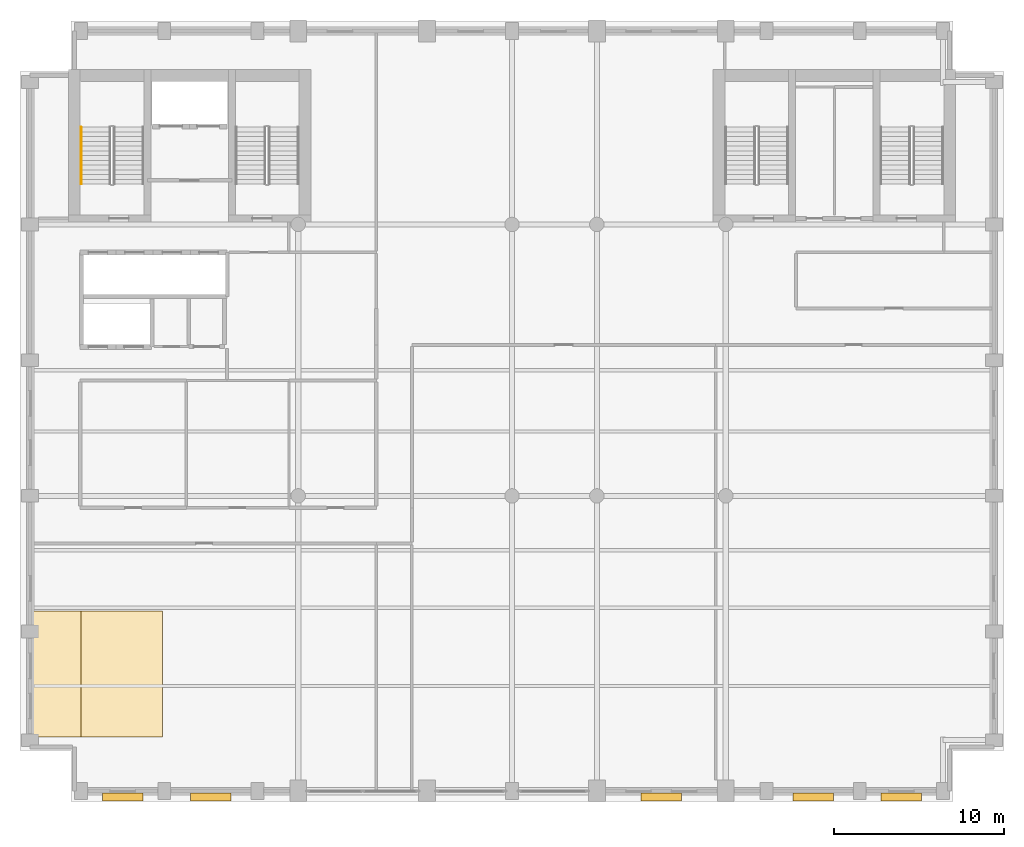
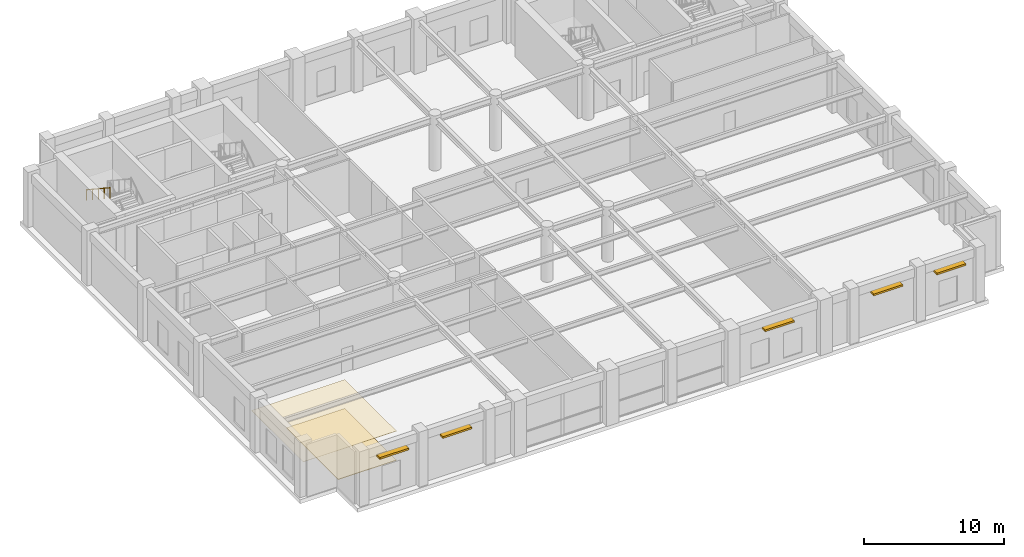
# One storey, part 8 of 10: 5 shading devices, 2 coverings, 1 railing.
"""IFC4 building model written with IfcOpenShell, lengths in metres."""

from ifc_helpers import new_model, si_unit, direction, frame, origin, origin_2d, place, context, subcontext, project, spatial, polyline, rectangle, circle, outline, extrude, material, layer, layer_set, type_object, element, save


model = new_model("IFC4")

# Units and contexts
model_context = context("Model", 3, precision=1e-05, world=origin(), true_north=direction((0.0, 1.0)))
body_context = subcontext(model_context, "Body", "Model", "MODEL_VIEW")
ifc_project = project(units=[si_unit("LENGTHUNIT", "METRE"), si_unit("AREAUNIT", "SQUARE_METRE"), si_unit("VOLUMEUNIT", "CUBIC_METRE"), si_unit("PLANEANGLEUNIT", "RADIAN"), si_unit("MASSUNIT", "GRAM", prefix="KILO")], contexts=[model_context])

# Site, building, storey
site_placement = place(None, origin())
site = spatial("IfcSite", under=ifc_project, at=site_placement, CompositionType="ELEMENT")
building_placement = place(site_placement, origin())
building = spatial("IfcBuilding", under=site, at=building_placement, Name="Sulina Concourse Tower", CompositionType="ELEMENT")
storey_placement = place(building_placement, frame((0.0, 0.0, 243.800048828125)))
storey = spatial("IfcBuildingStorey", under=building, at=storey_placement, Name="L59", CompositionType="ELEMENT", Elevation=243.800048828125)

# Shading devices
ifc_material_1 = material(Name="Precast concrete C50/60", Category="concrete")
shading_device_type = type_object("IfcShadingDeviceType", Name="Brutalist Precast Horizontal Sunshade Fin", PredefinedType="USERDEFINED", material=ifc_material_1)
for number, where, z_axis, x_axis, name in (
    (1, (6.050048828125, 0.2548828125, 3.6201171875), (0.0, 0.0, 1.0), (1.0, 0.0, 0.0), "L59 precast solar sunshade S1"),
    (2, (11.25, 0.2548828125, 3.6201171875), (0.0, 0.0, 1.0), (1.0, 0.0, 0.0), "L59 precast solar sunshade S2"),
    (3, (37.800048828125, 0.2548828125, 3.6201171875), (0.0, 0.0, 1.0), (1.0, 0.0, 0.0), "L59 precast solar sunshade S7"),
    (4, (46.75, 0.2548828125, 3.6201171875), (0.0, 0.0, 1.0), (1.0, 0.0, 0.0), "L59 precast solar sunshade S9"),
    (5, (51.949951171875, 0.2548828125, 3.6201171875), (0.0, 0.0, 1.0), (1.0, 0.0, 0.0), "L59 precast solar sunshade S10"),
):
    element("IfcShadingDevice", number, at=place(storey_placement, frame(where, z_axis=z_axis, x_axis=x_axis)), inside=storey, type_object=shading_device_type, Name=name, ObjectType="SUNSHADE", PredefinedType="USERDEFINED", context=body_context, shape_type="SweptSolid", body=[
        extrude(rectangle(XDim=2.39990234375, YDim=0.449951171875, at=origin_2d()), origin(), (0.0, 0.0, 1.0), 0.159912109375),
    ])

# Covering
ifc_material_2 = material(Name="Polished granite flooring", Category="masonry")
ifc_layer_1 = layer(ifc_material_2, 0.044921875)
ifc_layer_set_1 = layer_set([ifc_layer_1], Name="Polished granite flooring")
covering_type_1 = type_object("IfcCoveringType", Name="Polished Granite & Raised Access Flooring 45mm", PredefinedType="FLOORING", material=ifc_layer_set_1)
covering_1_placement = place(storey_placement, origin())
element("IfcCovering", 6, at=covering_1_placement, inside=storey, type_object=covering_type_1, Name="L59 raised access floor finish", PredefinedType="FLOORING", context=body_context, shape_type="SweptSolid", body=[
    extrude(outline(polyline([(3.60009765625, 3.800048828125), (8.39990234375, 3.800048828125), (8.39990234375, 11.199951171875), (3.60009765625, 11.199951171875), (3.60009765625, 3.800048828125)])), origin(), (0.0, 0.0, 1.0), 0.044921875),
])

# Railing
ifc_material_3 = material(Name="Galvanised steel railing", Category="steel")
railing_type = type_object("IfcRailingType", Name="Stair Wall Steel Handrail 920mm", PredefinedType="HANDRAIL", material=ifc_material_3)
railing_placement = place(storey_placement, frame((3.60498046875, 39.735107421875, 2.58447265625)))
element("IfcRailing", 7, at=railing_placement, inside=storey, type_object=railing_type, Name="L59 ST-1 stair handrail 2", PredefinedType="HANDRAIL", context=body_context, shape_type="SweptSolid", body=[
    extrude(circle(Radius=0.02392578125, at=origin_2d()), frame((0.0, 0.0, 0.89599609375), z_axis=(0.0, -0.834848600103, 0.550479622607), x_axis=(1.0, 0.0, 0.0)), (0.0, 0.0, 1.0), 4.02490234375),
    extrude(circle(Radius=0.02099609375, at=origin_2d()), origin(), (0.0, 0.0, 1.0), 0.871826171875),
    extrude(circle(Radius=0.02099609375, at=origin_2d()), frame((0.0, -0.840087890625, 0.553955078125)), (0.0, 0.0, 1.0), 0.871826171875),
    extrude(circle(Radius=0.02099609375, at=origin_2d()), frame((0.0, -1.68017578125, 1.10791015625)), (0.0, 0.0, 1.0), 0.871826171875),
    extrude(circle(Radius=0.02099609375, at=origin_2d()), frame((0.0, -2.52001953125, 1.66162109375)), (0.0, 0.0, 1.0), 0.871826171875),
    extrude(circle(Radius=0.02099609375, at=origin_2d()), frame((0.0, -3.360107421875, 2.215576171875)), (0.0, 0.0, 1.0), 0.871826171875),
])

# Covering
ifc_material_4 = material(Name="Acoustic mineral ceiling board")
ifc_layer_2 = layer(ifc_material_4, 0.02490234375)
ifc_layer_set_2 = layer_set([ifc_layer_2], Name="Acoustic mineral ceiling board")
covering_type_2 = type_object("IfcCoveringType", Name="Suspended Acoustic Mineral Ceiling 25mm", PredefinedType="CEILING", material=ifc_layer_set_2)
covering_2_placement = place(storey_placement, frame((0.0, 0.0, 2.550048828125)))
element("IfcCovering", 8, at=covering_2_placement, inside=storey, type_object=covering_type_2, Name="L59 suspended acoustic tile ceiling", PredefinedType="CEILING", context=body_context, shape_type="SweptSolid", body=[
    extrude(outline(polyline([(0.719970703125, 3.800048828125), (8.39990234375, 3.800048828125), (8.39990234375, 11.199951171875), (0.719970703125, 11.199951171875), (0.719970703125, 3.800048828125)])), origin(), (0.0, 0.0, 1.0), 0.02490234375),
])

save(model, "model.ifc")
